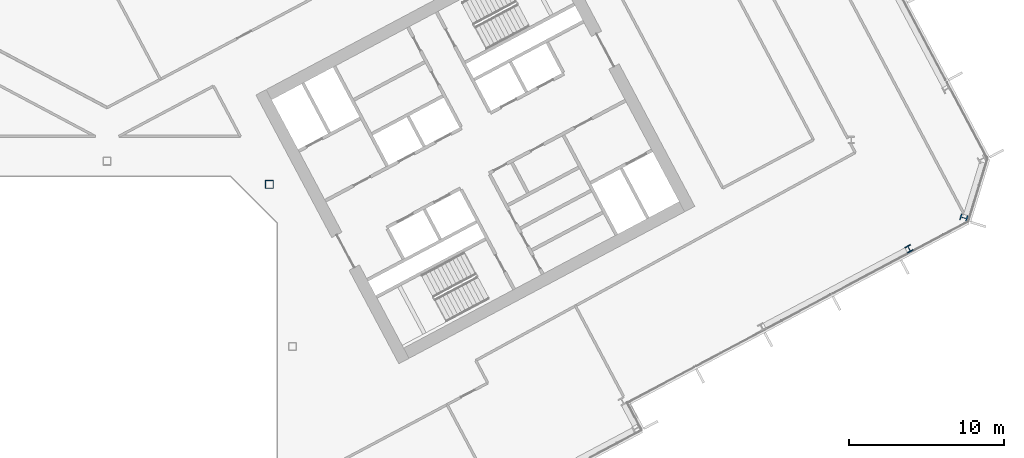
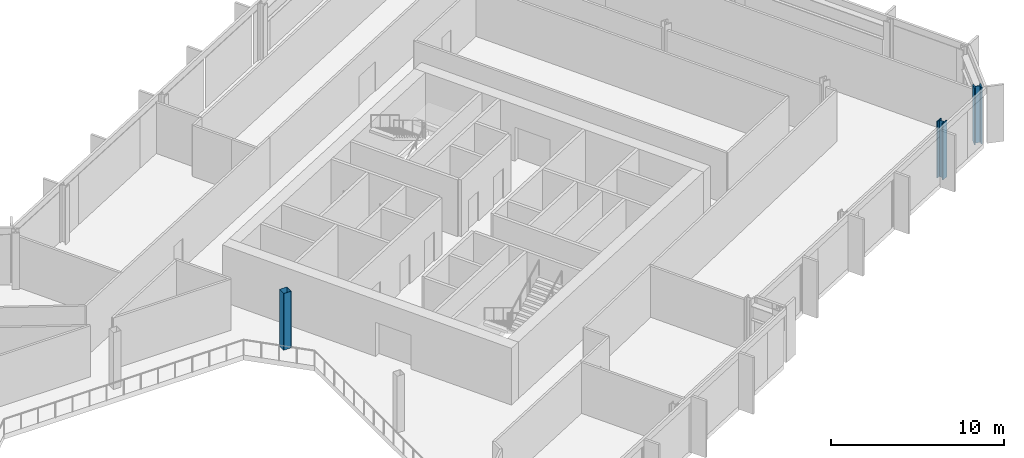
# One storey, part 6 of 28: 3 columns.
"""IFC4 building model written with IfcOpenShell, lengths in metres."""

import ifcopenshell
import ifcopenshell.guid

model = None  # the IFC model being written
_history = None  # IfcOwnerHistory: only IFC2X3 demands one
_inside = {}  # id of a spatial element -> (the spatial element, [elements in it])
_under = {}  # id of a project, library or spatial element -> (it, [spatial elements below it])
_declared = {}  # id of a project -> (the project, [libraries it declares])
_typed = {}  # id of a type object -> (the type object, [elements of that type])
_made_of = {}  # id of a material, layer set ... -> (it, [elements and type objects made of it])


def new_model(schema):
    """Start an empty IFC model of exactly this schema.

    Asked for "IFC4X3", IfcOpenShell would pick the latest addendum, in which some entities
    have other attributes; the version numbers below select the first issue.
    IFC2X3 requires an IfcOwnerHistory on every rooted entity: one is made here for all.
    """
    global model, _history
    if schema == "IFC4X3":
        model = ifcopenshell.file(schema_version=(4, 3, 0, 0))
    else:
        model = ifcopenshell.file(schema=schema)
    _inside.clear()
    _under.clear()
    _declared.clear()
    _typed.clear()
    _made_of.clear()
    _history = None
    if model.schema == "IFC2X3":
        org = make("IfcOrganization", Name="unknown")
        user = make(
            "IfcPersonAndOrganization",
            ThePerson=make("IfcPerson", FamilyName="unknown"),
            TheOrganization=org,
        )
        app = make(
            "IfcApplication",
            ApplicationDeveloper=org,
            Version="unknown",
            ApplicationFullName="unknown",
            ApplicationIdentifier="unknown",
        )
        _history = make(
            "IfcOwnerHistory",
            OwningUser=user,
            OwningApplication=app,
            ChangeAction="ADDED",
            CreationDate=0,
        )
    return model


def make(cls, **values):
    """One entity of the class cls with the attributes given. An attribute that is None is left unset."""
    return model.create_entity(
        cls, **{name: value for name, value in values.items() if value is not None}
    )


def rooted(cls, **values):
    """An entity with a GlobalId (a new one), such as an element, a storey or a relation."""
    return make(cls, GlobalId=ifcopenshell.guid.new(), OwnerHistory=_history, **values)


def si_unit(unit_type, name, prefix=None):
    """IfcSIUnit, for example si_unit("LENGTHUNIT", "METRE", prefix="MILLI")."""
    return make("IfcSIUnit", UnitType=unit_type, Prefix=prefix, Name=name)


def assignment(units):
    """IfcUnitAssignment: the units of a project."""
    return None if units is None else make("IfcUnitAssignment", Units=units)


def point(xyz):
    """IfcCartesianPoint."""
    return None if xyz is None else make("IfcCartesianPoint", Coordinates=xyz)


def direction(xyz):
    """IfcDirection."""
    return None if xyz is None else make("IfcDirection", DirectionRatios=xyz)


def frame(location, z_axis=None, x_axis=None):
    """IfcAxis2Placement3D, a coordinate frame: its origin and axes. An axis left out is left unset."""
    return make(
        "IfcAxis2Placement3D",
        Location=point(location),
        Axis=direction(z_axis),
        RefDirection=direction(x_axis),
    )


def frame_2d(location, x_axis=None):
    """IfcAxis2Placement2D, a coordinate frame in the plane: its origin and x axis."""
    return make(
        "IfcAxis2Placement2D", Location=point(location), RefDirection=direction(x_axis)
    )


def origin():
    """The frame at (0, 0, 0) with its axes left unset."""
    return frame((0.0, 0.0, 0.0))


def origin_2d():
    """The frame at (0, 0) in the plane with its x axis left unset."""
    return frame_2d((0.0, 0.0))


def place(relative_to, where):
    """IfcLocalPlacement: puts the frame where relative to a parent placement (None: the world)."""
    return make(
        "IfcLocalPlacement", PlacementRelTo=relative_to, RelativePlacement=where
    )


def context(
    kind, dimensions, precision=None, world=None, true_north=None, identifier=None
):
    """IfcGeometricRepresentationContext, for example the 3D "Model" context."""
    return make(
        "IfcGeometricRepresentationContext",
        ContextIdentifier=identifier,
        ContextType=kind,
        CoordinateSpaceDimension=dimensions,
        Precision=precision,
        WorldCoordinateSystem=world,
        TrueNorth=true_north,
    )


def subcontext(parent, identifier, kind, view, scale=None):
    """IfcGeometricRepresentationSubContext, for example "Body" below "Model"."""
    return make(
        "IfcGeometricRepresentationSubContext",
        ContextIdentifier=identifier,
        ContextType=kind,
        ParentContext=parent,
        TargetScale=scale,
        TargetView=view,
    )


def project(units=None, contexts=None):
    """IfcProject with its units and contexts."""
    return rooted(
        "IfcProject",
        Name="project",
        RepresentationContexts=contexts,
        UnitsInContext=assignment(units),
    )


def spatial(cls, under=None, at=None, **own):
    """A site, building, storey or space (cls), placed at a placement, below another one or the project."""
    s = rooted(cls, ObjectPlacement=at, **own)
    if under is not None:
        _under.setdefault(under.id(), (under, []))[1].append(s)
    return s


def profile(cls, at=None, kind="AREA", **sizes):
    """A parametric profile (cls). Its sizes go by their IFC names, for example OverallWidth=200.0."""
    return make(cls, ProfileType=kind, Position=at, **sizes)


def hollow_rectangle(**sizes):
    """IfcRectangleHollowProfileDef."""
    return profile("IfcRectangleHollowProfileDef", **sizes)


def i_section(**sizes):
    """IfcIShapeProfileDef."""
    return profile("IfcIShapeProfileDef", **sizes)


def extrude(swept, where, along, depth):
    """IfcExtrudedAreaSolid: the profile swept, set in the frame where, extruded along a direction by depth."""
    return make(
        "IfcExtrudedAreaSolid",
        SweptArea=swept,
        Position=where,
        ExtrudedDirection=direction(along),
        Depth=depth,
    )


def shape(context_of_items, identifier, shape_type, items):
    """IfcShapeRepresentation: the items that make up one representation, for example the "Body"."""
    return make(
        "IfcShapeRepresentation",
        ContextOfItems=context_of_items,
        RepresentationIdentifier=identifier,
        RepresentationType=shape_type,
        Items=items,
    )


def material(Name=None, Category=None):
    """IfcMaterial."""
    return make("IfcMaterial", Name=Name, Category=Category)


def material_profile(
    of_material, cross_section, Name=None, Category=None, Priority=None
):
    """IfcMaterialProfile: a cross section and its material."""
    return make(
        "IfcMaterialProfile",
        Name=Name,
        Material=of_material,
        Profile=cross_section,
        Priority=Priority,
        Category=Category,
    )


def profile_set(profiles, Name=None, composite=None):
    """IfcMaterialProfileSet."""
    return make(
        "IfcMaterialProfileSet",
        Name=Name,
        MaterialProfiles=profiles,
        CompositeProfile=composite,
    )


def made_of(thing, what):
    """Note that an element or type object is made of a material, layer set ...; save() writes the relation."""
    if what is not None:
        _made_of.setdefault(what.id(), (what, []))[1].append(thing)
    return thing


def type_object(cls, material=None, **own):
    """A type object (cls), such as IfcWallType, which elements share."""
    return made_of(rooted(cls, **own), material)


def element(
    cls,
    number,
    at=None,
    inside=None,
    cuts=None,
    type_object=None,
    material=None,
    context=None,
    identifier="Body",
    shape_type=None,
    held_by="IfcProductDefinitionShape",
    body=None,
    shapes=None,
    **own,
):
    """One element of the class cls, such as IfcWall. Its Tag is "e" and its number.

    at: its placement. inside: the storey or other place that contains it. cuts: it is an
    opening in that element (IfcRelVoidsElement). A single representation is given by context,
    identifier, shape_type and body (its items); several are given by shapes. held_by: the class
    of the entity that holds the representations. save() writes the other relations.
    """
    e = rooted(cls, Tag="e%d" % number, ObjectPlacement=at, **own)
    if body is not None:
        shapes = [shape(context, identifier, shape_type, body)]
    if shapes is not None:
        e.Representation = make(held_by, Representations=shapes)
    if inside is not None:
        _inside.setdefault(inside.id(), (inside, []))[1].append(e)
    if cuts is not None:
        rooted(
            "IfcRelVoidsElement", RelatingBuildingElement=cuts, RelatedOpeningElement=e
        )
    if type_object is not None:
        _typed.setdefault(type_object.id(), (type_object, []))[1].append(e)
    return made_of(e, material)


def aggregate(whole, parts):
    """IfcRelAggregates: a whole, such as a stair, and the parts it consists of."""
    return rooted("IfcRelAggregates", RelatingObject=whole, RelatedObjects=parts)


def save(model, path):
    """Write the relations noted so far, then the file.

    IfcRelAggregates (storeys below a building ...), IfcRelContainedInSpatialStructure (elements
    in a storey), IfcRelDefinesByType, IfcRelAssociatesMaterial and IfcRelDeclares: one each for
    every whole, place, type object, material and project.
    """
    for whole, parts in _under.values():
        aggregate(whole, parts)
    for where, things in _inside.values():
        rooted(
            "IfcRelContainedInSpatialStructure",
            RelatedElements=things,
            RelatingStructure=where,
        )
    for kind, things in _typed.values():
        rooted("IfcRelDefinesByType", RelatedObjects=things, RelatingType=kind)
    for what, things in _made_of.values():
        rooted("IfcRelAssociatesMaterial", RelatedObjects=things, RelatingMaterial=what)
    for by, libraries in _declared.values():
        rooted("IfcRelDeclares", RelatingContext=by, RelatedDefinitions=libraries)
    model.write(path)


model = new_model("IFC4")

# Units and contexts
model_context = context("Model", 3, precision=1e-05, world=origin(), true_north=direction((0.0, 1.0)))
body_context = subcontext(model_context, "Body", "Model", "MODEL_VIEW")
ifc_project = project(units=[si_unit("LENGTHUNIT", "METRE"), si_unit("AREAUNIT", "SQUARE_METRE"), si_unit("VOLUMEUNIT", "CUBIC_METRE"), si_unit("PLANEANGLEUNIT", "RADIAN"), si_unit("MASSUNIT", "GRAM", prefix="KILO")], contexts=[model_context])

# Site, building, storey
site_placement = place(None, origin())
site = spatial("IfcSite", under=ifc_project, at=site_placement, CompositionType="ELEMENT")
building_placement = place(site_placement, origin())
building = spatial("IfcBuilding", under=site, at=building_placement, Name="Cormorant Relay Tower", CompositionType="ELEMENT")
storey_placement = place(building_placement, frame((0.0, 0.0, 174.199951171875)))
storey = spatial("IfcBuildingStorey", under=building, at=storey_placement, Name="L37", CompositionType="ELEMENT", Elevation=174.199951171875)

# Columns
ifc_material_1 = material(Name="Steel ASTM A500 Grade C (Fy 345 MPa)", Category="steel")
ifc_material_profile_1 = material_profile(ifc_material_1, hollow_rectangle(XDim=0.508056640625, YDim=0.508056640625, WallThickness=0.01171875, InnerFilletRadius=0.005859375, OuterFilletRadius=0.017822265625, at=origin_2d()), Name="HSS508x508x12")
ifc_profile_set_1 = profile_set([ifc_material_profile_1], Name="Steel ASTM A500 Grade C (Fy 345 MPa)")
column_type_1 = type_object("IfcColumnType", Name="Column HSS508x508x12", PredefinedType="COLUMN", material=ifc_profile_set_1)
column_1_placement = place(storey_placement, frame((10.5, 10.5, 0.0), z_axis=(0.0, 0.0, 1.0), x_axis=(1.0, 0.0, 0.0)))
element("IfcColumn", 1, at=column_1_placement, inside=storey, type_object=column_type_1, Name="Column L37-024", PredefinedType="COLUMN", context=body_context, shape_type="SweptSolid", body=[
    extrude(hollow_rectangle(XDim=0.508056640625, YDim=0.508056640625, WallThickness=0.01171875, InnerFilletRadius=0.005859375, OuterFilletRadius=0.017822265625, at=origin_2d()), origin(), (0.0, 0.0, 1.0), 4.0),
])
ifc_material_2 = material(Name="Steel ASTM A992 (Fy 345 MPa)", Category="steel")
ifc_material_profile_2 = material_profile(ifc_material_2, i_section(OverallWidth=0.41162109375, OverallDepth=0.434326171875, WebThickness=0.035888671875, FlangeThickness=0.057373046875, FilletRadius=0.01513671875, at=origin_2d()), Name="W360x463")
ifc_profile_set_2 = profile_set([ifc_material_profile_2], Name="Steel ASTM A992 (Fy 345 MPa)")
column_type_2 = type_object("IfcColumnType", Name="Column W360x463", PredefinedType="COLUMN", material=ifc_profile_set_2)
column_2_placement = place(storey_placement, frame((51.905029296875, 6.327880859375, 0.0), z_axis=(0.0, 0.0, 1.0), x_axis=(0.882947592859, 0.469471562786, 0.0)))
element("IfcColumn", 2, at=column_2_placement, inside=storey, type_object=column_type_2, Name="Column L37-020", PredefinedType="COLUMN", context=body_context, shape_type="SweptSolid", body=[
    extrude(i_section(OverallWidth=0.41162109375, OverallDepth=0.434326171875, WebThickness=0.035888671875, FlangeThickness=0.057373046875, FilletRadius=0.01513671875, at=origin_2d()), origin(), (0.0, 0.0, 1.0), 4.0),
])
ifc_material_3 = material(Name="Steel ASTM A992 (Fy 345 MPa)", Category="steel")
ifc_material_profile_3 = material_profile(ifc_material_3, i_section(OverallWidth=0.42431640625, OverallDepth=0.47509765625, WebThickness=0.0478515625, FlangeThickness=0.0771484375, FilletRadius=0.014892578125, at=origin_2d()), Name="W360x634")
ifc_profile_set_3 = profile_set([ifc_material_profile_3], Name="Steel ASTM A992 (Fy 345 MPa)")
column_type_3 = type_object("IfcColumnType", Name="Column W360x634", PredefinedType="COLUMN", material=ifc_profile_set_3)
column_3_placement = place(storey_placement, frame((55.446044921875, 8.3291015625, 0.0), z_axis=(0.0, 0.0, 1.0), x_axis=(0.292371704723, 0.956304755963, 0.0)))
element("IfcColumn", 3, at=column_3_placement, inside=storey, type_object=column_type_3, Name="Column L37-021", PredefinedType="COLUMN", context=body_context, shape_type="SweptSolid", body=[
    extrude(i_section(OverallWidth=0.42431640625, OverallDepth=0.47509765625, WebThickness=0.0478515625, FlangeThickness=0.0771484375, FilletRadius=0.014892578125, at=origin_2d()), origin(), (0.0, 0.0, 1.0), 4.0),
])

save(model, "model.ifc")
